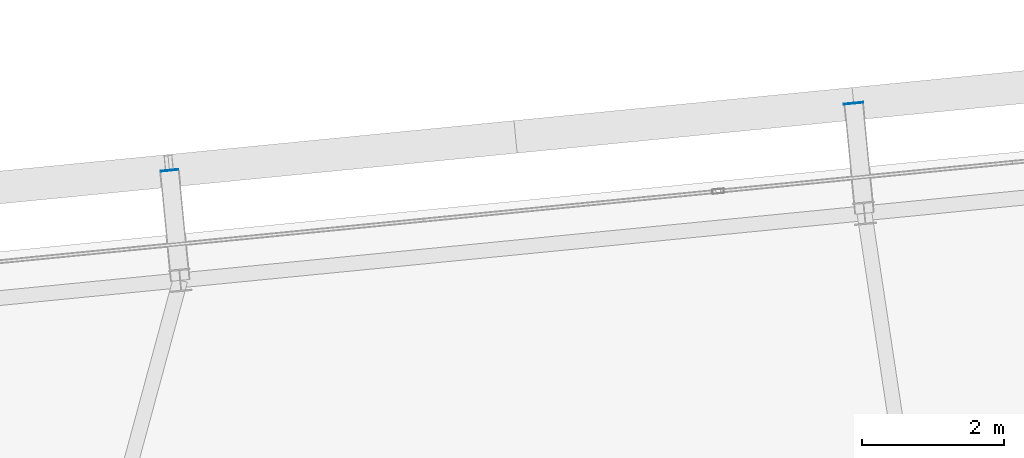
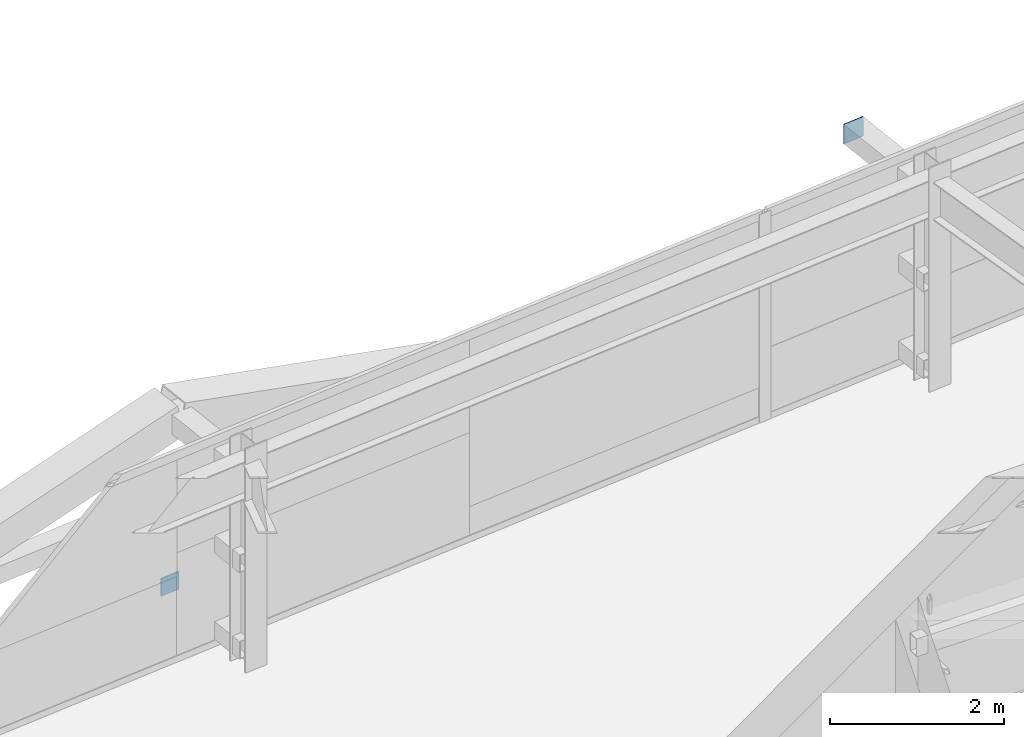
# One storey, part 39 of 47: 2 plates.
"""IFC4 building model written with IfcOpenShell, lengths in metres."""

import ifcopenshell
import ifcopenshell.guid

model = None  # the IFC model being written
_history = None  # IfcOwnerHistory: only IFC2X3 demands one
_inside = {}  # id of a spatial element -> (the spatial element, [elements in it])
_under = {}  # id of a project, library or spatial element -> (it, [spatial elements below it])
_declared = {}  # id of a project -> (the project, [libraries it declares])
_typed = {}  # id of a type object -> (the type object, [elements of that type])
_made_of = {}  # id of a material, layer set ... -> (it, [elements and type objects made of it])


def new_model(schema):
    """Start an empty IFC model of exactly this schema.

    Asked for "IFC4X3", IfcOpenShell would pick the latest addendum, in which some entities
    have other attributes; the version numbers below select the first issue.
    IFC2X3 requires an IfcOwnerHistory on every rooted entity: one is made here for all.
    """
    global model, _history
    if schema == "IFC4X3":
        model = ifcopenshell.file(schema_version=(4, 3, 0, 0))
    else:
        model = ifcopenshell.file(schema=schema)
    _inside.clear()
    _under.clear()
    _declared.clear()
    _typed.clear()
    _made_of.clear()
    _history = None
    if model.schema == "IFC2X3":
        org = make("IfcOrganization", Name="unknown")
        user = make(
            "IfcPersonAndOrganization",
            ThePerson=make("IfcPerson", FamilyName="unknown"),
            TheOrganization=org,
        )
        app = make(
            "IfcApplication",
            ApplicationDeveloper=org,
            Version="unknown",
            ApplicationFullName="unknown",
            ApplicationIdentifier="unknown",
        )
        _history = make(
            "IfcOwnerHistory",
            OwningUser=user,
            OwningApplication=app,
            ChangeAction="ADDED",
            CreationDate=0,
        )
    return model


def make(cls, **values):
    """One entity of the class cls with the attributes given. An attribute that is None is left unset."""
    return model.create_entity(
        cls, **{name: value for name, value in values.items() if value is not None}
    )


def rooted(cls, **values):
    """An entity with a GlobalId (a new one), such as an element, a storey or a relation."""
    return make(cls, GlobalId=ifcopenshell.guid.new(), OwnerHistory=_history, **values)


def si_unit(unit_type, name, prefix=None):
    """IfcSIUnit, for example si_unit("LENGTHUNIT", "METRE", prefix="MILLI")."""
    return make("IfcSIUnit", UnitType=unit_type, Prefix=prefix, Name=name)


def assignment(units):
    """IfcUnitAssignment: the units of a project."""
    return None if units is None else make("IfcUnitAssignment", Units=units)


def point(xyz):
    """IfcCartesianPoint."""
    return None if xyz is None else make("IfcCartesianPoint", Coordinates=xyz)


def direction(xyz):
    """IfcDirection."""
    return None if xyz is None else make("IfcDirection", DirectionRatios=xyz)


def frame(location, z_axis=None, x_axis=None):
    """IfcAxis2Placement3D, a coordinate frame: its origin and axes. An axis left out is left unset."""
    return make(
        "IfcAxis2Placement3D",
        Location=point(location),
        Axis=direction(z_axis),
        RefDirection=direction(x_axis),
    )


def frame_2d(location, x_axis=None):
    """IfcAxis2Placement2D, a coordinate frame in the plane: its origin and x axis."""
    return make(
        "IfcAxis2Placement2D", Location=point(location), RefDirection=direction(x_axis)
    )


def origin():
    """The frame at (0, 0, 0) with its axes left unset."""
    return frame((0.0, 0.0, 0.0))


def origin_2d():
    """The frame at (0, 0) in the plane with its x axis left unset."""
    return frame_2d((0.0, 0.0))


def place(relative_to, where):
    """IfcLocalPlacement: puts the frame where relative to a parent placement (None: the world)."""
    return make(
        "IfcLocalPlacement", PlacementRelTo=relative_to, RelativePlacement=where
    )


def context(
    kind, dimensions, precision=None, world=None, true_north=None, identifier=None
):
    """IfcGeometricRepresentationContext, for example the 3D "Model" context."""
    return make(
        "IfcGeometricRepresentationContext",
        ContextIdentifier=identifier,
        ContextType=kind,
        CoordinateSpaceDimension=dimensions,
        Precision=precision,
        WorldCoordinateSystem=world,
        TrueNorth=true_north,
    )


def subcontext(parent, identifier, kind, view, scale=None):
    """IfcGeometricRepresentationSubContext, for example "Body" below "Model"."""
    return make(
        "IfcGeometricRepresentationSubContext",
        ContextIdentifier=identifier,
        ContextType=kind,
        ParentContext=parent,
        TargetScale=scale,
        TargetView=view,
    )


def project(units=None, contexts=None):
    """IfcProject with its units and contexts."""
    return rooted(
        "IfcProject",
        Name="project",
        RepresentationContexts=contexts,
        UnitsInContext=assignment(units),
    )


def spatial(cls, under=None, at=None, **own):
    """A site, building, storey or space (cls), placed at a placement, below another one or the project."""
    s = rooted(cls, ObjectPlacement=at, **own)
    if under is not None:
        _under.setdefault(under.id(), (under, []))[1].append(s)
    return s


def profile(cls, at=None, kind="AREA", **sizes):
    """A parametric profile (cls). Its sizes go by their IFC names, for example OverallWidth=200.0."""
    return make(cls, ProfileType=kind, Position=at, **sizes)


def rectangle(**sizes):
    """IfcRectangleProfileDef."""
    return profile("IfcRectangleProfileDef", **sizes)


def extrude(swept, where, along, depth):
    """IfcExtrudedAreaSolid: the profile swept, set in the frame where, extruded along a direction by depth."""
    return make(
        "IfcExtrudedAreaSolid",
        SweptArea=swept,
        Position=where,
        ExtrudedDirection=direction(along),
        Depth=depth,
    )


def shape(context_of_items, identifier, shape_type, items):
    """IfcShapeRepresentation: the items that make up one representation, for example the "Body"."""
    return make(
        "IfcShapeRepresentation",
        ContextOfItems=context_of_items,
        RepresentationIdentifier=identifier,
        RepresentationType=shape_type,
        Items=items,
    )


def source(mapping_origin, context_of_items, identifier, shape_type, items):
    """IfcRepresentationMap: a shape defined once, which mapped items show again and again."""
    return make(
        "IfcRepresentationMap",
        MappingOrigin=mapping_origin,
        MappedRepresentation=shape(context_of_items, identifier, shape_type, items),
    )


def transform(
    local_origin,
    x_axis=None,
    y_axis=None,
    z_axis=None,
    scale=None,
    scale2=None,
    scale3=None,
    uniform=True,
):
    """IfcCartesianTransformationOperator3D, or its non-uniform kind. x_axis, y_axis, z_axis: its Axis1, 2, 3."""
    if uniform:
        return make(
            "IfcCartesianTransformationOperator3D",
            Axis1=direction(x_axis),
            Axis2=direction(y_axis),
            LocalOrigin=point(local_origin),
            Scale=scale,
            Axis3=direction(z_axis),
        )
    return make(
        "IfcCartesianTransformationOperator3DnonUniform",
        Axis1=direction(x_axis),
        Axis2=direction(y_axis),
        LocalOrigin=point(local_origin),
        Scale=scale,
        Axis3=direction(z_axis),
        Scale2=scale2,
        Scale3=scale3,
    )


def mapped(mapping_source, mapping_target):
    """IfcMappedItem: shows the shape of a source again, moved by a transform."""
    return make(
        "IfcMappedItem", MappingSource=mapping_source, MappingTarget=mapping_target
    )


def material(Name=None, Category=None):
    """IfcMaterial."""
    return make("IfcMaterial", Name=Name, Category=Category)


def layer(
    of_material, thickness, ventilated=None, Name=None, Category=None, Priority=None
):
    """IfcMaterialLayer: one layer of a wall or slab, of a material (None: an air gap)."""
    return make(
        "IfcMaterialLayer",
        Material=of_material,
        LayerThickness=thickness,
        IsVentilated=ventilated,
        Name=Name,
        Category=Category,
        Priority=Priority,
    )


def layer_set(layers, Name=None):
    """IfcMaterialLayerSet."""
    return make("IfcMaterialLayerSet", MaterialLayers=layers, LayerSetName=Name)


def made_of(thing, what):
    """Note that an element or type object is made of a material, layer set ...; save() writes the relation."""
    if what is not None:
        _made_of.setdefault(what.id(), (what, []))[1].append(thing)
    return thing


def type_object(cls, material=None, **own):
    """A type object (cls), such as IfcWallType, which elements share."""
    return made_of(rooted(cls, **own), material)


def element(
    cls,
    number,
    at=None,
    inside=None,
    cuts=None,
    type_object=None,
    material=None,
    context=None,
    identifier="Body",
    shape_type=None,
    held_by="IfcProductDefinitionShape",
    body=None,
    shapes=None,
    **own,
):
    """One element of the class cls, such as IfcWall. Its Tag is "e" and its number.

    at: its placement. inside: the storey or other place that contains it. cuts: it is an
    opening in that element (IfcRelVoidsElement). A single representation is given by context,
    identifier, shape_type and body (its items); several are given by shapes. held_by: the class
    of the entity that holds the representations. save() writes the other relations.
    """
    e = rooted(cls, Tag="e%d" % number, ObjectPlacement=at, **own)
    if body is not None:
        shapes = [shape(context, identifier, shape_type, body)]
    if shapes is not None:
        e.Representation = make(held_by, Representations=shapes)
    if inside is not None:
        _inside.setdefault(inside.id(), (inside, []))[1].append(e)
    if cuts is not None:
        rooted(
            "IfcRelVoidsElement", RelatingBuildingElement=cuts, RelatedOpeningElement=e
        )
    if type_object is not None:
        _typed.setdefault(type_object.id(), (type_object, []))[1].append(e)
    return made_of(e, material)


def aggregate(whole, parts):
    """IfcRelAggregates: a whole, such as a stair, and the parts it consists of."""
    return rooted("IfcRelAggregates", RelatingObject=whole, RelatedObjects=parts)


def save(model, path):
    """Write the relations noted so far, then the file.

    IfcRelAggregates (storeys below a building ...), IfcRelContainedInSpatialStructure (elements
    in a storey), IfcRelDefinesByType, IfcRelAssociatesMaterial and IfcRelDeclares: one each for
    every whole, place, type object, material and project.
    """
    for whole, parts in _under.values():
        aggregate(whole, parts)
    for where, things in _inside.values():
        rooted(
            "IfcRelContainedInSpatialStructure",
            RelatedElements=things,
            RelatingStructure=where,
        )
    for kind, things in _typed.values():
        rooted("IfcRelDefinesByType", RelatedObjects=things, RelatingType=kind)
    for what, things in _made_of.values():
        rooted("IfcRelAssociatesMaterial", RelatedObjects=things, RelatingMaterial=what)
    for by, libraries in _declared.values():
        rooted("IfcRelDeclares", RelatingContext=by, RelatedDefinitions=libraries)
    model.write(path)


model = new_model("IFC4")

# Units and contexts
model_context = context("Model", 3, precision=1e-05, world=origin(), true_north=direction((0.0, 1.0)))
body_context = subcontext(model_context, "Body", "Model", "MODEL_VIEW")
ifc_project = project(units=[si_unit("LENGTHUNIT", "METRE"), si_unit("AREAUNIT", "SQUARE_METRE"), si_unit("VOLUMEUNIT", "CUBIC_METRE"), si_unit("PLANEANGLEUNIT", "RADIAN"), si_unit("MASSUNIT", "GRAM", prefix="KILO")], contexts=[model_context])

# Site, building, storey
site_placement = place(None, origin())
site = spatial("IfcSite", under=ifc_project, at=site_placement, CompositionType="ELEMENT")
building_placement = place(site_placement, origin())
building = spatial("IfcBuilding", under=site, at=building_placement, Name="Taldren Reach Tower", CompositionType="ELEMENT")
storey_placement = place(building_placement, frame((0.0, 0.0, 106.050048828125)))
storey = spatial("IfcBuildingStorey", under=building, at=storey_placement, Name="L32", CompositionType="ELEMENT", Elevation=106.050048828125)

# Plates
ifc_material_1 = material(Name="Steel Gr 450 (C450L0)", Category="steel")
ifc_layer_1 = layer(ifc_material_1, 0.011962890625)
ifc_layer_set_1 = layer_set([ifc_layer_1], Name="Steel Gr 450 (C450L0)")
plate_type_1 = type_object("IfcPlateType", Name="PL-CAP-275", PredefinedType="SHEET", material=ifc_layer_set_1)
shared_shape_1 = source(origin(), body_context, "Body", "SweptSolid", [
    extrude(rectangle(XDim=0.27490234375, YDim=0.011962890625, at=origin_2d()), origin(), (0.0, 0.0, 1.0), 0.27490234375),
])
plate_1_placement = place(storey_placement, frame((49.980224609375, 39.283935546875, 2.512451171875), z_axis=(0.0, 0.0, 1.0), x_axis=(0.995227399982, 0.097582899759, 0.0)))
element("IfcPlate", 1, at=plate_1_placement, inside=storey, type_object=plate_type_1, Name="Tie strut end cap plate B2-N5 L32", PredefinedType="SHEET", context=body_context, shape_type="MappedRepresentation", body=[
    mapped(shared_shape_1, transform((0.0, 0.0, 0.0), scale=1.0)),
])
ifc_material_2 = material(Name="Steel Gr 350 (C350L0)", Category="steel")
ifc_layer_2 = layer(ifc_material_2, 0.011962890625)
ifc_layer_set_2 = layer_set([ifc_layer_2], Name="Steel Gr 350 (C350L0)")
plate_type_2 = type_object("IfcPlateType", Name="PL-CAP-250", PredefinedType="SHEET", material=ifc_layer_set_2)
shared_shape_2 = source(origin(), body_context, "Body", "SweptSolid", [
    extrude(rectangle(XDim=0.25, YDim=0.011962890625, at=origin_2d()), origin(), (0.0, 0.0, 1.0), 0.25),
])
plate_2_placement = place(storey_placement, frame((40.346435546875, 38.33935546875, 0.094970703125), z_axis=(0.0, 0.0, 1.0), x_axis=(0.995227399982, 0.097582899759, 0.0)))
element("IfcPlate", 2, at=plate_2_placement, inside=storey, type_object=plate_type_2, Name="Tie strut end cap plate B2-N4 L32", PredefinedType="SHEET", context=body_context, shape_type="MappedRepresentation", body=[
    mapped(shared_shape_2, transform((0.0, 0.0, 0.0), scale=1.0)),
])

save(model, "model.ifc")
